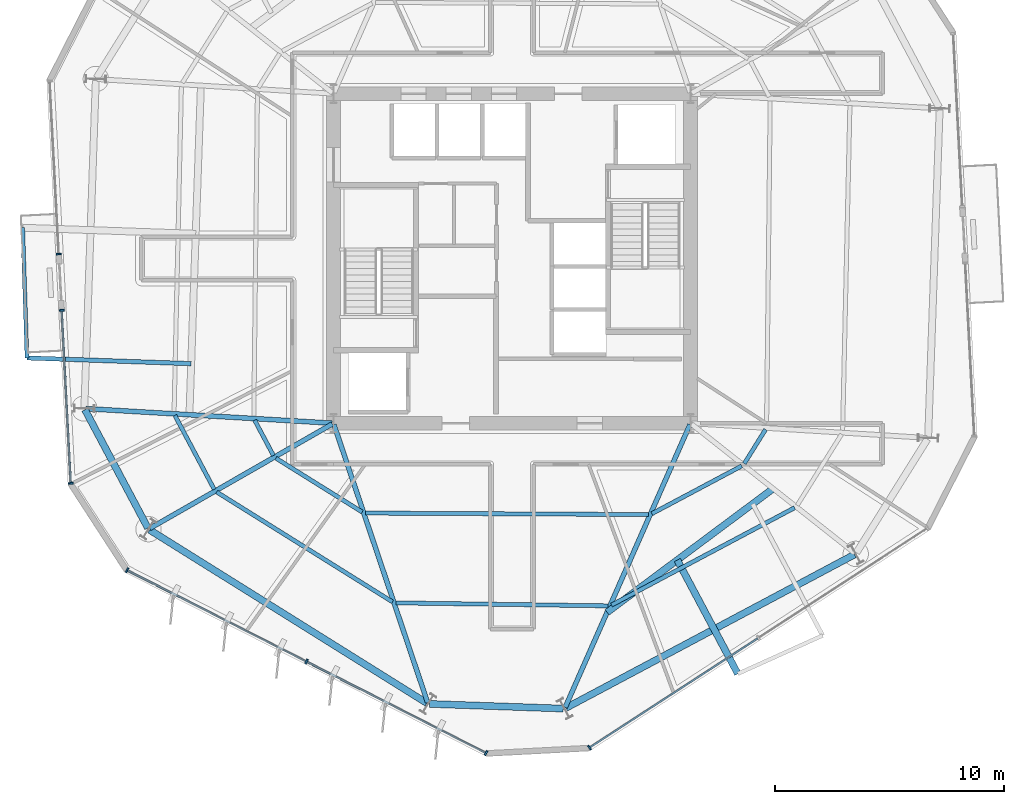
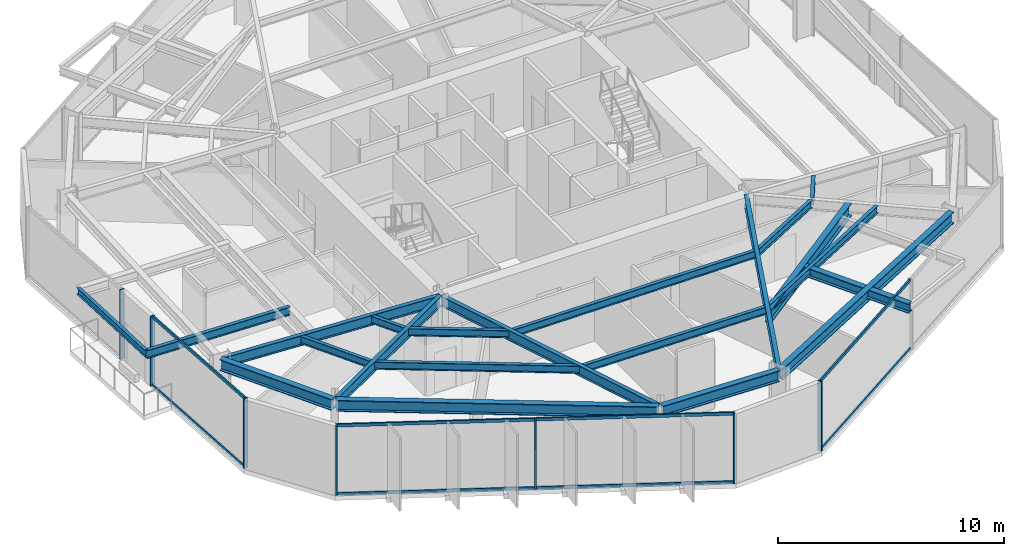
# One storey, part 2 of 12: 21 beams, 15 members, 4 elements without a shape of their own.
"""IFC4 building model written with IfcOpenShell, lengths in metres."""

import ifcopenshell
import ifcopenshell.guid

model = None  # the IFC model being written
_history = None  # IfcOwnerHistory: only IFC2X3 demands one
_inside = {}  # id of a spatial element -> (the spatial element, [elements in it])
_under = {}  # id of a project, library or spatial element -> (it, [spatial elements below it])
_declared = {}  # id of a project -> (the project, [libraries it declares])
_typed = {}  # id of a type object -> (the type object, [elements of that type])
_made_of = {}  # id of a material, layer set ... -> (it, [elements and type objects made of it])


def new_model(schema):
    """Start an empty IFC model of exactly this schema.

    Asked for "IFC4X3", IfcOpenShell would pick the latest addendum, in which some entities
    have other attributes; the version numbers below select the first issue.
    IFC2X3 requires an IfcOwnerHistory on every rooted entity: one is made here for all.
    """
    global model, _history
    if schema == "IFC4X3":
        model = ifcopenshell.file(schema_version=(4, 3, 0, 0))
    else:
        model = ifcopenshell.file(schema=schema)
    _inside.clear()
    _under.clear()
    _declared.clear()
    _typed.clear()
    _made_of.clear()
    _history = None
    if model.schema == "IFC2X3":
        org = make("IfcOrganization", Name="unknown")
        user = make(
            "IfcPersonAndOrganization",
            ThePerson=make("IfcPerson", FamilyName="unknown"),
            TheOrganization=org,
        )
        app = make(
            "IfcApplication",
            ApplicationDeveloper=org,
            Version="unknown",
            ApplicationFullName="unknown",
            ApplicationIdentifier="unknown",
        )
        _history = make(
            "IfcOwnerHistory",
            OwningUser=user,
            OwningApplication=app,
            ChangeAction="ADDED",
            CreationDate=0,
        )
    return model


def make(cls, **values):
    """One entity of the class cls with the attributes given. An attribute that is None is left unset."""
    return model.create_entity(
        cls, **{name: value for name, value in values.items() if value is not None}
    )


def rooted(cls, **values):
    """An entity with a GlobalId (a new one), such as an element, a storey or a relation."""
    return make(cls, GlobalId=ifcopenshell.guid.new(), OwnerHistory=_history, **values)


def si_unit(unit_type, name, prefix=None):
    """IfcSIUnit, for example si_unit("LENGTHUNIT", "METRE", prefix="MILLI")."""
    return make("IfcSIUnit", UnitType=unit_type, Prefix=prefix, Name=name)


def assignment(units):
    """IfcUnitAssignment: the units of a project."""
    return None if units is None else make("IfcUnitAssignment", Units=units)


def point(xyz):
    """IfcCartesianPoint."""
    return None if xyz is None else make("IfcCartesianPoint", Coordinates=xyz)


def direction(xyz):
    """IfcDirection."""
    return None if xyz is None else make("IfcDirection", DirectionRatios=xyz)


def frame(location, z_axis=None, x_axis=None):
    """IfcAxis2Placement3D, a coordinate frame: its origin and axes. An axis left out is left unset."""
    return make(
        "IfcAxis2Placement3D",
        Location=point(location),
        Axis=direction(z_axis),
        RefDirection=direction(x_axis),
    )


def frame_2d(location, x_axis=None):
    """IfcAxis2Placement2D, a coordinate frame in the plane: its origin and x axis."""
    return make(
        "IfcAxis2Placement2D", Location=point(location), RefDirection=direction(x_axis)
    )


def origin():
    """The frame at (0, 0, 0) with its axes left unset."""
    return frame((0.0, 0.0, 0.0))


def origin_2d():
    """The frame at (0, 0) in the plane with its x axis left unset."""
    return frame_2d((0.0, 0.0))


def place(relative_to, where):
    """IfcLocalPlacement: puts the frame where relative to a parent placement (None: the world)."""
    return make(
        "IfcLocalPlacement", PlacementRelTo=relative_to, RelativePlacement=where
    )


def context(
    kind, dimensions, precision=None, world=None, true_north=None, identifier=None
):
    """IfcGeometricRepresentationContext, for example the 3D "Model" context."""
    return make(
        "IfcGeometricRepresentationContext",
        ContextIdentifier=identifier,
        ContextType=kind,
        CoordinateSpaceDimension=dimensions,
        Precision=precision,
        WorldCoordinateSystem=world,
        TrueNorth=true_north,
    )


def subcontext(parent, identifier, kind, view, scale=None):
    """IfcGeometricRepresentationSubContext, for example "Body" below "Model"."""
    return make(
        "IfcGeometricRepresentationSubContext",
        ContextIdentifier=identifier,
        ContextType=kind,
        ParentContext=parent,
        TargetScale=scale,
        TargetView=view,
    )


def project(units=None, contexts=None):
    """IfcProject with its units and contexts."""
    return rooted(
        "IfcProject",
        Name="project",
        RepresentationContexts=contexts,
        UnitsInContext=assignment(units),
    )


def spatial(cls, under=None, at=None, **own):
    """A site, building, storey or space (cls), placed at a placement, below another one or the project."""
    s = rooted(cls, ObjectPlacement=at, **own)
    if under is not None:
        _under.setdefault(under.id(), (under, []))[1].append(s)
    return s


def profile(cls, at=None, kind="AREA", **sizes):
    """A parametric profile (cls). Its sizes go by their IFC names, for example OverallWidth=200.0."""
    return make(cls, ProfileType=kind, Position=at, **sizes)


def rectangle(**sizes):
    """IfcRectangleProfileDef."""
    return profile("IfcRectangleProfileDef", **sizes)


def i_section(**sizes):
    """IfcIShapeProfileDef."""
    return profile("IfcIShapeProfileDef", **sizes)


def extrude(swept, where, along, depth):
    """IfcExtrudedAreaSolid: the profile swept, set in the frame where, extruded along a direction by depth."""
    return make(
        "IfcExtrudedAreaSolid",
        SweptArea=swept,
        Position=where,
        ExtrudedDirection=direction(along),
        Depth=depth,
    )


def shape(context_of_items, identifier, shape_type, items):
    """IfcShapeRepresentation: the items that make up one representation, for example the "Body"."""
    return make(
        "IfcShapeRepresentation",
        ContextOfItems=context_of_items,
        RepresentationIdentifier=identifier,
        RepresentationType=shape_type,
        Items=items,
    )


def material(Name=None, Category=None):
    """IfcMaterial."""
    return make("IfcMaterial", Name=Name, Category=Category)


def layer(
    of_material, thickness, ventilated=None, Name=None, Category=None, Priority=None
):
    """IfcMaterialLayer: one layer of a wall or slab, of a material (None: an air gap)."""
    return make(
        "IfcMaterialLayer",
        Material=of_material,
        LayerThickness=thickness,
        IsVentilated=ventilated,
        Name=Name,
        Category=Category,
        Priority=Priority,
    )


def layer_set(layers, Name=None):
    """IfcMaterialLayerSet."""
    return make("IfcMaterialLayerSet", MaterialLayers=layers, LayerSetName=Name)


def material_profile(
    of_material, cross_section, Name=None, Category=None, Priority=None
):
    """IfcMaterialProfile: a cross section and its material."""
    return make(
        "IfcMaterialProfile",
        Name=Name,
        Material=of_material,
        Profile=cross_section,
        Priority=Priority,
        Category=Category,
    )


def profile_set(profiles, Name=None, composite=None):
    """IfcMaterialProfileSet."""
    return make(
        "IfcMaterialProfileSet",
        Name=Name,
        MaterialProfiles=profiles,
        CompositeProfile=composite,
    )


def made_of(thing, what):
    """Note that an element or type object is made of a material, layer set ...; save() writes the relation."""
    if what is not None:
        _made_of.setdefault(what.id(), (what, []))[1].append(thing)
    return thing


def type_object(cls, material=None, **own):
    """A type object (cls), such as IfcWallType, which elements share."""
    return made_of(rooted(cls, **own), material)


def element(
    cls,
    number,
    at=None,
    inside=None,
    cuts=None,
    type_object=None,
    material=None,
    context=None,
    identifier="Body",
    shape_type=None,
    held_by="IfcProductDefinitionShape",
    body=None,
    shapes=None,
    **own,
):
    """One element of the class cls, such as IfcWall. Its Tag is "e" and its number.

    at: its placement. inside: the storey or other place that contains it. cuts: it is an
    opening in that element (IfcRelVoidsElement). A single representation is given by context,
    identifier, shape_type and body (its items); several are given by shapes. held_by: the class
    of the entity that holds the representations. save() writes the other relations.
    """
    e = rooted(cls, Tag="e%d" % number, ObjectPlacement=at, **own)
    if body is not None:
        shapes = [shape(context, identifier, shape_type, body)]
    if shapes is not None:
        e.Representation = make(held_by, Representations=shapes)
    if inside is not None:
        _inside.setdefault(inside.id(), (inside, []))[1].append(e)
    if cuts is not None:
        rooted(
            "IfcRelVoidsElement", RelatingBuildingElement=cuts, RelatedOpeningElement=e
        )
    if type_object is not None:
        _typed.setdefault(type_object.id(), (type_object, []))[1].append(e)
    return made_of(e, material)


def aggregate(whole, parts):
    """IfcRelAggregates: a whole, such as a stair, and the parts it consists of."""
    return rooted("IfcRelAggregates", RelatingObject=whole, RelatedObjects=parts)


def save(model, path):
    """Write the relations noted so far, then the file.

    IfcRelAggregates (storeys below a building ...), IfcRelContainedInSpatialStructure (elements
    in a storey), IfcRelDefinesByType, IfcRelAssociatesMaterial and IfcRelDeclares: one each for
    every whole, place, type object, material and project.
    """
    for whole, parts in _under.values():
        aggregate(whole, parts)
    for where, things in _inside.values():
        rooted(
            "IfcRelContainedInSpatialStructure",
            RelatedElements=things,
            RelatingStructure=where,
        )
    for kind, things in _typed.values():
        rooted("IfcRelDefinesByType", RelatedObjects=things, RelatingType=kind)
    for what, things in _made_of.values():
        rooted("IfcRelAssociatesMaterial", RelatedObjects=things, RelatingMaterial=what)
    for by, libraries in _declared.values():
        rooted("IfcRelDeclares", RelatingContext=by, RelatedDefinitions=libraries)
    model.write(path)


model = new_model("IFC4")

# Units and contexts
model_context = context("Model", 3, precision=1e-05, world=origin(), true_north=direction((0.0, 1.0)))
body_context = subcontext(model_context, "Body", "Model", "MODEL_VIEW")
ifc_project = project(units=[si_unit("LENGTHUNIT", "METRE"), si_unit("AREAUNIT", "SQUARE_METRE"), si_unit("VOLUMEUNIT", "CUBIC_METRE"), si_unit("PLANEANGLEUNIT", "RADIAN"), si_unit("MASSUNIT", "GRAM", prefix="KILO")], contexts=[model_context])

# Site, building, storey
site_placement = place(None, origin())
site = spatial("IfcSite", under=ifc_project, at=site_placement, CompositionType="ELEMENT")
building_placement = place(site_placement, origin())
building = spatial("IfcBuilding", under=site, at=building_placement, Name="Kranzbogen Civic Tower", CompositionType="ELEMENT")
storey_placement = place(building_placement, frame((0.0, 0.0, 154.39990234375)))
storey = spatial("IfcBuildingStorey", under=building, at=storey_placement, Name="L37", CompositionType="ELEMENT", Elevation=154.39990234375)

# Beam
ifc_material_1 = material(Name="Steel S355", Category="steel")
ifc_material_profile_1 = material_profile(ifc_material_1, i_section(OverallWidth=0.18994140625, OverallDepth=0.449951171875, WebThickness=0.009521484375, FlangeThickness=0.0146484375, at=origin_2d()), Name="IPE 450")
ifc_profile_set_1 = profile_set([ifc_material_profile_1], Name="Steel S355")
beam_type_1 = type_object("IfcBeamType", Name="Braced Terrace Edge Beam IPE 450", PredefinedType="BEAM", material=ifc_profile_set_1)
beam_1_placement = place(storey_placement, frame((10.97998046875, 20.404052734375, 3.4951171875), z_axis=(-0.999389457372, 0.034938696214, 0.0), x_axis=(-0.034938696214, -0.999389457372, 0.0)))
element("IfcBeam", 1, at=beam_1_placement, inside=storey, type_object=beam_type_1, Name="L38 back-spanned terrace beam L38-ST-2", PredefinedType="BEAM", context=body_context, shape_type="SweptSolid", body=[
    extrude(i_section(OverallWidth=0.18994140625, OverallDepth=0.449951171875, WebThickness=0.009521484375, FlangeThickness=0.0146484375, at=origin_2d()), origin(), (0.0, 0.0, 1.0), 7.183349609375),
])

# Curtain wall, member
ifc_material_2 = material(Name="Pale Anodised Aluminium", Category="aluminium")
ifc_layer = layer(ifc_material_2, 0.219970703125, Name="Pale Anodised Aluminium")
ifc_layer_set = layer_set([ifc_layer], Name="Pale Anodised Aluminium")
curtain_wall_type = type_object("IfcCurtainWallType", Name="Zone 2 Stick Curtain Wall System CW-03", PredefinedType="USERDEFINED", material=ifc_layer_set)
curtain_wall_1_placement = place(storey_placement, origin())
curtain_wall_1 = element("IfcCurtainWall", 2, at=curtain_wall_1_placement, inside=storey, type_object=curtain_wall_type, Name="L37 curtain wall CW-L37-F3-S1", ObjectType="STICK CURTAIN WALL", PredefinedType="USERDEFINED")
ifc_material_profile_2 = material_profile(ifc_material_2, rectangle(XDim=0.074951171875, YDim=0.219970703125, at=origin_2d()), Name="ALU-M 75x220")
ifc_profile_set_2 = profile_set([ifc_material_profile_2], Name="Pale Anodised Aluminium")
member_type_1 = type_object("IfcMemberType", Name="Curtain Wall Mullion ALU-M 75x220", PredefinedType="MULLION", material=ifc_profile_set_2)
member_1_placement = place(storey_placement, frame((5.19140625, 25.19384765625, 0.0), z_axis=(0.0, 0.0, 1.0), x_axis=(0.052393835252, -0.998626499762, 0.0)))
member_1 = element("IfcMember", 3, at=member_1_placement, type_object=member_type_1, Name="CW-03 mullion 2", PredefinedType="MULLION", context=body_context, shape_type="SweptSolid", body=[
    extrude(rectangle(XDim=0.074951171875, YDim=0.219970703125, at=origin_2d()), origin(), (0.0, 0.0, 1.0), 3.760009765625),
])
aggregate(curtain_wall_1, [member_1])

# Curtain wall, members
curtain_wall_2_placement = place(storey_placement, origin())
curtain_wall_2 = element("IfcCurtainWall", 4, at=curtain_wall_2_placement, inside=storey, type_object=curtain_wall_type, Name="L37 curtain wall CW-L37-F3-S2", ObjectType="STICK CURTAIN WALL", PredefinedType="USERDEFINED")
member_2_placement = place(storey_placement, frame((5.319580078125, 22.737060546875, 0.0), z_axis=(0.0, 0.0, 1.0), x_axis=(0.052400689505, -0.998626140124, 0.0)))
member_2 = element("IfcMember", 5, at=member_2_placement, type_object=member_type_1, Name="CW-03 mullion 1", PredefinedType="MULLION", context=body_context, shape_type="SweptSolid", body=[
    extrude(rectangle(XDim=0.074951171875, YDim=0.219970703125, at=origin_2d()), origin(), (0.0, 0.0, 1.0), 3.760009765625),
])
member_3_placement = place(storey_placement, frame((5.71630859375, 15.174072265625, 0.0), z_axis=(0.0, 0.0, 1.0), x_axis=(0.052400689505, -0.998626140124, 0.0)))
member_3 = element("IfcMember", 6, at=member_3_placement, type_object=member_type_1, Name="CW-03 mullion 2", PredefinedType="MULLION", context=body_context, shape_type="SweptSolid", body=[
    extrude(rectangle(XDim=0.074951171875, YDim=0.219970703125, at=origin_2d()), origin(), (0.0, 0.0, 1.0), 3.760009765625),
])

curtain_wall_3_placement = place(storey_placement, origin())
curtain_wall_3 = element("IfcCurtainWall", 7, at=curtain_wall_3_placement, inside=storey, type_object=curtain_wall_type, Name="L37 curtain wall CW-L37-F4", ObjectType="STICK CURTAIN WALL", PredefinedType="USERDEFINED")
member_4_placement = place(storey_placement, frame((8.1787109375, 11.37939453125, 0.0), z_axis=(0.0, 0.0, 1.0), x_axis=(0.891017035872, -0.453969868809, 0.0)))
member_4 = element("IfcMember", 8, at=member_4_placement, type_object=member_type_1, Name="CW-03 mullion 1", PredefinedType="MULLION", context=body_context, shape_type="SweptSolid", body=[
    extrude(rectangle(XDim=0.074951171875, YDim=0.219970703125, at=origin_2d()), origin(), (0.0, 0.0, 1.0), 3.760009765625),
])
member_5_placement = place(storey_placement, frame((16.0234375, 7.382568359375, 0.0), z_axis=(0.0, 0.0, 1.0), x_axis=(0.891017035872, -0.453969868809, 0.0)))
member_5 = element("IfcMember", 9, at=member_5_placement, type_object=member_type_1, Name="CW-03 mullion 2", PredefinedType="MULLION", context=body_context, shape_type="SweptSolid", body=[
    extrude(rectangle(XDim=0.074951171875, YDim=0.219970703125, at=origin_2d()), origin(), (0.0, 0.0, 1.0), 3.760009765625),
])
member_6_placement = place(storey_placement, frame((23.8681640625, 3.385498046875, 0.0), z_axis=(0.0, 0.0, 1.0), x_axis=(0.891017035872, -0.453969868809, 0.0)))
member_6 = element("IfcMember", 10, at=member_6_placement, type_object=member_type_1, Name="CW-03 mullion 3", PredefinedType="MULLION", context=body_context, shape_type="SweptSolid", body=[
    extrude(rectangle(XDim=0.074951171875, YDim=0.219970703125, at=origin_2d()), origin(), (0.0, 0.0, 1.0), 3.760009765625),
])

# Curtain wall, member
curtain_wall_4_placement = place(storey_placement, origin())
curtain_wall_4 = element("IfcCurtainWall", 11, at=curtain_wall_4_placement, inside=storey, type_object=curtain_wall_type, Name="L37 curtain wall CW-L37-F5", ObjectType="STICK CURTAIN WALL", PredefinedType="USERDEFINED")
member_7_placement = place(storey_placement, frame((28.38525390625, 3.622314453125, 0.0), z_axis=(0.0, 0.0, 1.0), x_axis=(0.83865175397, 0.544668004901, 0.0)))
member_7 = element("IfcMember", 12, at=member_7_placement, type_object=member_type_1, Name="CW-03 mullion 1", PredefinedType="MULLION", context=body_context, shape_type="SweptSolid", body=[
    extrude(rectangle(XDim=0.074951171875, YDim=0.219970703125, at=origin_2d()), origin(), (0.0, 0.0, 1.0), 3.760009765625),
])

# Member
ifc_material_profile_3 = material_profile(ifc_material_2, rectangle(XDim=0.074951171875, YDim=0.1650390625, at=origin_2d()), Name="ALU-T 75x165")
ifc_profile_set_3 = profile_set([ifc_material_profile_3], Name="Pale Anodised Aluminium")
member_type_2 = type_object("IfcMemberType", Name="Curtain Wall Transom ALU-T 75x165", PredefinedType="USERDEFINED", material=ifc_profile_set_3)
member_8_placement = place(storey_placement, frame((5.321044921875, 22.70703125, 0.030029296875), z_axis=(0.052412162589, -0.998625538034, 0.0), x_axis=(0.998625538034, 0.052412162589, 0.0)))
member_8 = element("IfcMember", 13, at=member_8_placement, type_object=member_type_2, Name="CW-03 transom 1.1", ObjectType="TRANSOM", PredefinedType="USERDEFINED", context=body_context, shape_type="SweptSolid", body=[
    extrude(rectangle(XDim=0.074951171875, YDim=0.1650390625, at=origin_2d()), origin(), (0.0, 0.0, 1.0), 7.513427734375),
])

member_9_placement = place(storey_placement, frame((5.321044921875, 22.70703125, 3.72998046875), z_axis=(0.052412162589, -0.998625538034, 0.0), x_axis=(0.998625538034, 0.052412162589, 0.0)))
member_9 = element("IfcMember", 14, at=member_9_placement, type_object=member_type_2, Name="CW-03 transom 1.2", ObjectType="TRANSOM", PredefinedType="USERDEFINED", context=body_context, shape_type="SweptSolid", body=[
    extrude(rectangle(XDim=0.074951171875, YDim=0.1650390625, at=origin_2d()), origin(), (0.0, 0.0, 1.0), 7.513427734375),
])

aggregate(curtain_wall_2, [member_2, member_3, member_8, member_9])

member_10_placement = place(storey_placement, frame((8.20556640625, 11.36572265625, 0.030029296875), z_axis=(0.891023302784, -0.453957568388, 0.0), x_axis=(0.453957568388, 0.891023302784, 0.0)))
member_10 = element("IfcMember", 15, at=member_10_placement, type_object=member_type_2, Name="CW-03 transom 1.1", ObjectType="TRANSOM", PredefinedType="USERDEFINED", context=body_context, shape_type="SweptSolid", body=[
    extrude(rectangle(XDim=0.074951171875, YDim=0.1650390625, at=origin_2d()), origin(), (0.0, 0.0, 1.0), 8.744140625),
])

member_11_placement = place(storey_placement, frame((8.20556640625, 11.36572265625, 3.72998046875), z_axis=(0.891023302784, -0.453957568388, 0.0), x_axis=(0.453957568388, 0.891023302784, 0.0)))
member_11 = element("IfcMember", 16, at=member_11_placement, type_object=member_type_2, Name="CW-03 transom 1.2", ObjectType="TRANSOM", PredefinedType="USERDEFINED", context=body_context, shape_type="SweptSolid", body=[
    extrude(rectangle(XDim=0.074951171875, YDim=0.1650390625, at=origin_2d()), origin(), (0.0, 0.0, 1.0), 8.744140625),
])

member_12_placement = place(storey_placement, frame((16.05029296875, 7.368896484375, 0.030029296875), z_axis=(0.891012009224, -0.45397973459, 0.0), x_axis=(0.45397973459, 0.891012009224, 0.0)))
member_12 = element("IfcMember", 17, at=member_12_placement, type_object=member_type_2, Name="CW-03 transom 2.1", ObjectType="TRANSOM", PredefinedType="USERDEFINED", context=body_context, shape_type="SweptSolid", body=[
    extrude(rectangle(XDim=0.074951171875, YDim=0.1650390625, at=origin_2d()), origin(), (0.0, 0.0, 1.0), 8.744384765625),
])

member_13_placement = place(storey_placement, frame((16.05029296875, 7.368896484375, 3.72998046875), z_axis=(0.891012009224, -0.45397973459, 0.0), x_axis=(0.45397973459, 0.891012009224, 0.0)))
member_13 = element("IfcMember", 18, at=member_13_placement, type_object=member_type_2, Name="CW-03 transom 2.2", ObjectType="TRANSOM", PredefinedType="USERDEFINED", context=body_context, shape_type="SweptSolid", body=[
    extrude(rectangle(XDim=0.074951171875, YDim=0.1650390625, at=origin_2d()), origin(), (0.0, 0.0, 1.0), 8.744384765625),
])

aggregate(curtain_wall_3, [member_4, member_5, member_6, member_10, member_11, member_12, member_13])

member_14_placement = place(storey_placement, frame((28.410400390625, 3.638671875, 0.030029296875), z_axis=(0.838652794659, 0.544666402498, 0.0), x_axis=(-0.544666402498, 0.838652794659, 0.0)))
member_14 = element("IfcMember", 19, at=member_14_placement, type_object=member_type_2, Name="CW-03 transom 1.1", ObjectType="TRANSOM", PredefinedType="USERDEFINED", context=body_context, shape_type="SweptSolid", body=[
    extrude(rectangle(XDim=0.074951171875, YDim=0.1650390625, at=origin_2d()), origin(), (0.0, 0.0, 1.0), 8.743896484375),
])

member_15_placement = place(storey_placement, frame((28.410400390625, 3.638671875, 3.72998046875), z_axis=(0.838652794659, 0.544666402498, 0.0), x_axis=(-0.544666402498, 0.838652794659, 0.0)))
member_15 = element("IfcMember", 20, at=member_15_placement, type_object=member_type_2, Name="CW-03 transom 1.2", ObjectType="TRANSOM", PredefinedType="USERDEFINED", context=body_context, shape_type="SweptSolid", body=[
    extrude(rectangle(XDim=0.074951171875, YDim=0.1650390625, at=origin_2d()), origin(), (0.0, 0.0, 1.0), 8.743896484375),
])

aggregate(curtain_wall_4, [member_7, member_14, member_15])

# Beams
ifc_material_profile_4 = material_profile(ifc_material_1, i_section(OverallWidth=0.300048828125, OverallDepth=0.5, WebThickness=0.014404296875, FlangeThickness=0.028076171875, at=origin_2d()), Name="HEB 500")
ifc_profile_set_4 = profile_set([ifc_material_profile_4], Name="Steel S355")
beam_type_2 = type_object("IfcBeamType", Name="Perimeter Tube Spandrel Beam HEB 500", PredefinedType="SPANDREL", material=ifc_profile_set_4)
beam_2_placement = place(storey_placement, frame((32.22509765625, 11.822998046875, 3.5), z_axis=(0.469424607444, -0.882972557856, 0.0), x_axis=(0.882972557856, 0.469424607444, 0.0)))
element("IfcBeam", 21, at=beam_2_placement, inside=storey, type_object=beam_type_2, Name="L38 back-spanned terrace beam L38-TB1-1", PredefinedType="SPANDREL", context=body_context, shape_type="SweptSolid", body=[
    extrude(i_section(OverallWidth=0.300048828125, OverallDepth=0.5, WebThickness=0.014404296875, FlangeThickness=0.028076171875, at=origin_2d()), origin(), (0.0, 0.0, 1.0), 5.632080078125),
])
ifc_material_profile_5 = material_profile(ifc_material_1, i_section(OverallWidth=0.300048828125, OverallDepth=0.60009765625, WebThickness=0.015380859375, FlangeThickness=0.030029296875, at=origin_2d()), Name="HEB 600")
ifc_profile_set_5 = profile_set([ifc_material_profile_5], Name="Steel S355")
beam_type_3 = type_object("IfcBeamType", Name="Perimeter Tube Spandrel Beam HEB 600", PredefinedType="SPANDREL", material=ifc_profile_set_5)
beam_3_placement = place(storey_placement, frame((6.337890625, 18.39111328125, 3.460205078125), z_axis=(0.469565926668, -0.882897412224, 0.0), x_axis=(0.882897412224, 0.469565926668, 0.0)))
element("IfcBeam", 22, at=beam_3_placement, inside=storey, type_object=beam_type_3, Name="L37 perimeter spandrel beam 01", PredefinedType="SPANDREL", context=body_context, shape_type="SweptSolid", body=[
    extrude(i_section(OverallWidth=0.300048828125, OverallDepth=0.60009765625, WebThickness=0.015380859375, FlangeThickness=0.030029296875, at=origin_2d()), origin(), (0.0, 0.0, 1.0), 5.852294921875),
])
beam_4_placement = place(storey_placement, frame((9.1650390625, 13.138916015625, 3.460205078125), z_axis=(0.848051101349, -0.52991445489, 0.0), x_axis=(0.52991445489, 0.848051101349, 0.0)))
element("IfcBeam", 23, at=beam_4_placement, inside=storey, type_object=beam_type_3, Name="L37 perimeter spandrel beam 02", PredefinedType="SPANDREL", context=body_context, shape_type="SweptSolid", body=[
    extrude(i_section(OverallWidth=0.300048828125, OverallDepth=0.60009765625, WebThickness=0.015380859375, FlangeThickness=0.030029296875, at=origin_2d()), origin(), (0.0, 0.0, 1.0), 14.286865234375),
])
beam_5_placement = place(storey_placement, frame((21.39208984375, 5.533935546875, 3.460205078125), z_axis=(0.999393148233, -0.03483296234, 0.0), x_axis=(0.03483296234, 0.999393148233, 0.0)))
element("IfcBeam", 24, at=beam_5_placement, inside=storey, type_object=beam_type_3, Name="L37 perimeter spandrel beam 03", PredefinedType="SPANDREL", context=body_context, shape_type="SweptSolid", body=[
    extrude(i_section(OverallWidth=0.300048828125, OverallDepth=0.60009765625, WebThickness=0.015380859375, FlangeThickness=0.030029296875, at=origin_2d()), origin(), (0.0, 0.0, 1.0), 5.8525390625),
])
beam_6_placement = place(storey_placement, frame((27.35400390625, 5.35595703125, 3.460205078125), z_axis=(0.882948194046, 0.469470432116, 0.0), x_axis=(-0.469470432116, 0.882948194046, 0.0)))
element("IfcBeam", 25, at=beam_6_placement, inside=storey, type_object=beam_type_3, Name="L37 perimeter spandrel beam 04", PredefinedType="SPANDREL", context=body_context, shape_type="SweptSolid", body=[
    extrude(i_section(OverallWidth=0.300048828125, OverallDepth=0.60009765625, WebThickness=0.015380859375, FlangeThickness=0.030029296875, at=origin_2d()), origin(), (0.0, 0.0, 1.0), 14.28857421875),
])
ifc_material_profile_6 = material_profile(ifc_material_1, i_section(OverallWidth=0.300048828125, OverallDepth=0.699951171875, WebThickness=0.01708984375, FlangeThickness=0.031982421875, at=origin_2d()), Name="HEB 700")
ifc_profile_set_6 = profile_set([ifc_material_profile_6], Name="Steel S355")
beam_type_4 = type_object("IfcBeamType", Name="Perimeter Tube Spandrel Beam HEB 700", PredefinedType="SPANDREL", material=ifc_profile_set_6)
beam_7_placement = place(storey_placement, frame((29.156982421875, 9.537109375, 3.400146484375), z_axis=(0.801896259305, 0.597463295369, 0.0), x_axis=(-0.597463295369, 0.801896259305, 0.0)))
element("IfcBeam", 26, at=beam_7_placement, inside=storey, type_object=beam_type_4, Name="L38 balcony back-span header girder L38-TB1", PredefinedType="SPANDREL", context=body_context, shape_type="SweptSolid", body=[
    extrude(i_section(OverallWidth=0.300048828125, OverallDepth=0.699951171875, WebThickness=0.01708984375, FlangeThickness=0.031982421875, at=origin_2d()), origin(), (0.0, 0.0, 1.0), 9.0498046875),
])
ifc_material_profile_7 = material_profile(ifc_material_1, i_section(OverallWidth=0.2099609375, OverallDepth=0.550048828125, WebThickness=0.010986328125, FlangeThickness=0.01708984375, at=origin_2d()), Name="IPE 550")
ifc_profile_set_7 = profile_set([ifc_material_profile_7], Name="Steel S355")
beam_type_5 = type_object("IfcBeamType", Name="Radial Tower Floor Girder IPE 550", PredefinedType="BEAM", material=ifc_profile_set_7)
beam_8_placement = place(storey_placement, frame((6.3701171875, 18.43994140625, 3.485107421875), z_axis=(0.998260925387, -0.058950189528, 0.0), x_axis=(0.058950189528, 0.998260925387, 0.0)))
element("IfcBeam", 27, at=beam_8_placement, inside=storey, type_object=beam_type_5, Name="L37 radial floor girder 01", PredefinedType="BEAM", context=body_context, shape_type="SweptSolid", body=[
    extrude(i_section(OverallWidth=0.2099609375, OverallDepth=0.550048828125, WebThickness=0.010986328125, FlangeThickness=0.01708984375, at=origin_2d()), origin(), (0.0, 0.0, 1.0), 10.78857421875),
])
beam_9_placement = place(storey_placement, frame((9.166015625, 13.200927734375, 3.485107421875), z_axis=(0.867868812182, 0.496793442833, 0.0), x_axis=(-0.496793442833, 0.867868812182, 0.0)))
element("IfcBeam", 28, at=beam_9_placement, inside=storey, type_object=beam_type_5, Name="L37 radial floor girder 02", PredefinedType="BEAM", context=body_context, shape_type="SweptSolid", body=[
    extrude(i_section(OverallWidth=0.2099609375, OverallDepth=0.550048828125, WebThickness=0.010986328125, FlangeThickness=0.01708984375, at=origin_2d()), origin(), (0.0, 0.0, 1.0), 9.197265625),
])
beam_10_placement = place(storey_placement, frame((21.31298828125, 5.593017578125, 3.485107421875), z_axis=(-0.319316617377, 0.947648087566, 0.0), x_axis=(-0.947648087566, -0.319316617377, 0.0)))
element("IfcBeam", 29, at=beam_10_placement, inside=storey, type_object=beam_type_5, Name="L37 radial floor girder 03", PredefinedType="BEAM", context=body_context, shape_type="SweptSolid", body=[
    extrude(i_section(OverallWidth=0.2099609375, OverallDepth=0.550048828125, WebThickness=0.010986328125, FlangeThickness=0.01708984375, at=origin_2d()), origin(), (0.0, 0.0, 1.0), 12.821044921875),
])
beam_11_placement = place(storey_placement, frame((27.324951171875, 5.383056640625, 3.485107421875), z_axis=(0.403459127705, 0.914997667905, 0.0), x_axis=(-0.914997667905, 0.403459127705, 0.0)))
element("IfcBeam", 30, at=beam_11_placement, inside=storey, type_object=beam_type_5, Name="L37 radial floor girder 04", PredefinedType="BEAM", context=body_context, shape_type="SweptSolid", body=[
    extrude(i_section(OverallWidth=0.2099609375, OverallDepth=0.550048828125, WebThickness=0.010986328125, FlangeThickness=0.01708984375, at=origin_2d()), origin(), (0.0, 0.0, 1.0), 13.510498046875),
])
ifc_material_profile_8 = material_profile(ifc_material_1, i_section(OverallWidth=0.169921875, OverallDepth=0.360107421875, WebThickness=0.008056640625, FlangeThickness=0.0126953125, at=origin_2d()), Name="IPE 360")
ifc_profile_set_8 = profile_set([ifc_material_profile_8], Name="Steel S355")
beam_type_6 = type_object("IfcBeamType", Name="Secondary Composite Floor Joist IPE 360", PredefinedType="JOIST", material=ifc_profile_set_8)
beam_12_placement = place(storey_placement, frame((3.616943359375, 26.345947265625, 3.5400390625), z_axis=(0.032329723399, -0.999477257863, 0.0), x_axis=(0.999477257863, 0.032329723399, 0.0)))
element("IfcBeam", 31, at=beam_12_placement, inside=storey, type_object=beam_type_6, Name="L38 terrace outer edge trimmer L38-ST", PredefinedType="JOIST", context=body_context, shape_type="SweptSolid", body=[
    extrude(i_section(OverallWidth=0.169921875, OverallDepth=0.360107421875, WebThickness=0.008056640625, FlangeThickness=0.0126953125, at=origin_2d()), origin(), (0.0, 0.0, 1.0), 5.69384765625),
])
ifc_material_profile_9 = material_profile(ifc_material_1, i_section(OverallWidth=0.179931640625, OverallDepth=0.39990234375, WebThickness=0.008544921875, FlangeThickness=0.013427734375, at=origin_2d()), Name="IPE 400")
ifc_profile_set_9 = profile_set([ifc_material_profile_9], Name="Steel S355")
beam_type_7 = type_object("IfcBeamType", Name="Secondary Composite Floor Joist IPE 400", PredefinedType="JOIST", material=ifc_profile_set_9)
beam_13_placement = place(storey_placement, frame((10.26806640625, 18.14208984375, 3.56005859375), z_axis=(0.469338791783, -0.88301817565, 0.0), x_axis=(0.88301817565, 0.469338791783, 0.0)))
element("IfcBeam", 32, at=beam_13_placement, inside=storey, type_object=beam_type_7, Name="L37 secondary floor joist 1.01", PredefinedType="JOIST", context=body_context, shape_type="SweptSolid", body=[
    extrude(i_section(OverallWidth=0.179931640625, OverallDepth=0.39990234375, WebThickness=0.008544921875, FlangeThickness=0.013427734375, at=origin_2d()), origin(), (0.0, 0.0, 1.0), 3.66259765625),
])
beam_14_placement = place(storey_placement, frame((13.7529296875, 17.93505859375, 3.56005859375), z_axis=(0.46943723363, -0.882965845139, 0.0), x_axis=(0.882965845139, 0.46943723363, 0.0)))
element("IfcBeam", 33, at=beam_14_placement, inside=storey, type_object=beam_type_7, Name="L37 secondary floor joist 2.01", PredefinedType="JOIST", context=body_context, shape_type="SweptSolid", body=[
    extrude(i_section(OverallWidth=0.179931640625, OverallDepth=0.39990234375, WebThickness=0.008544921875, FlangeThickness=0.013427734375, at=origin_2d()), origin(), (0.0, 0.0, 1.0), 1.7509765625),
])
beam_15_placement = place(storey_placement, frame((12.093017578125, 14.794921875, 3.56005859375), z_axis=(0.848025549308, -0.529955345026, 0.0), x_axis=(0.529955345026, 0.848025549308, 0.0)))
element("IfcBeam", 34, at=beam_15_placement, inside=storey, type_object=beam_type_7, Name="L37 secondary floor joist 1.02", PredefinedType="JOIST", context=body_context, shape_type="SweptSolid", body=[
    extrude(i_section(OverallWidth=0.179931640625, OverallDepth=0.39990234375, WebThickness=0.008544921875, FlangeThickness=0.013427734375, at=origin_2d()), origin(), (0.0, 0.0, 1.0), 9.06103515625),
])
beam_16_placement = place(storey_placement, frame((14.679931640625, 16.27587890625, 3.56005859375), z_axis=(0.848093834398, -0.529846060716, 0.0), x_axis=(0.529846060716, 0.848093834398, 0.0)))
element("IfcBeam", 35, at=beam_16_placement, inside=storey, type_object=beam_type_7, Name="L37 secondary floor joist 2.02", PredefinedType="JOIST", context=body_context, shape_type="SweptSolid", body=[
    extrude(i_section(OverallWidth=0.179931640625, OverallDepth=0.39990234375, WebThickness=0.008544921875, FlangeThickness=0.013427734375, at=origin_2d()), origin(), (0.0, 0.0, 1.0), 4.4501953125),
])
beam_17_placement = place(storey_placement, frame((19.924072265625, 9.949951171875, 3.56005859375), z_axis=(0.999900525148, -0.014104602386, 0.0), x_axis=(0.014104602386, 0.999900525148, 0.0)))
element("IfcBeam", 36, at=beam_17_placement, inside=storey, type_object=beam_type_7, Name="L37 secondary floor joist 1.03", PredefinedType="JOIST", context=body_context, shape_type="SweptSolid", body=[
    extrude(i_section(OverallWidth=0.179931640625, OverallDepth=0.39990234375, WebThickness=0.008544921875, FlangeThickness=0.013427734375, at=origin_2d()), origin(), (0.0, 0.0, 1.0), 9.27783203125),
])
beam_18_placement = place(storey_placement, frame((18.60205078125, 13.875, 3.56005859375), z_axis=(0.999985774147, -0.005333995002, 0.0), x_axis=(0.005333995002, 0.999985774147, 0.0)))
element("IfcBeam", 37, at=beam_18_placement, inside=storey, type_object=beam_type_7, Name="L37 secondary floor joist 2.03", PredefinedType="JOIST", context=body_context, shape_type="SweptSolid", body=[
    extrude(i_section(OverallWidth=0.179931640625, OverallDepth=0.39990234375, WebThickness=0.008544921875, FlangeThickness=0.013427734375, at=origin_2d()), origin(), (0.0, 0.0, 1.0), 12.358154296875),
])
beam_19_placement = place(storey_placement, frame((29.35107421875, 9.85498046875, 3.56005859375), z_axis=(0.882960787661, 0.469446746131, 0.0), x_axis=(-0.469446746131, 0.882960787661, 0.0)))
element("IfcBeam", 38, at=beam_19_placement, inside=storey, type_object=beam_type_7, Name="L37 secondary floor joist 1.04", PredefinedType="JOIST", context=body_context, shape_type="SweptSolid", body=[
    extrude(i_section(OverallWidth=0.179931640625, OverallDepth=0.39990234375, WebThickness=0.008544921875, FlangeThickness=0.013427734375, at=origin_2d()), origin(), (0.0, 0.0, 1.0), 9.0615234375),
])
beam_20_placement = place(storey_placement, frame((31.111083984375, 13.846923828125, 3.56005859375), z_axis=(0.882991399158, 0.469389165844, 0.0), x_axis=(-0.469389165844, 0.882991399158, 0.0)))
element("IfcBeam", 39, at=beam_20_placement, inside=storey, type_object=beam_type_7, Name="L37 secondary floor joist 2.04", PredefinedType="JOIST", context=body_context, shape_type="SweptSolid", body=[
    extrude(i_section(OverallWidth=0.179931640625, OverallDepth=0.39990234375, WebThickness=0.008544921875, FlangeThickness=0.013427734375, at=origin_2d()), origin(), (0.0, 0.0, 1.0), 4.45068359375),
])
beam_21_placement = place(storey_placement, frame((35.154052734375, 16.041015625, 3.56005859375), z_axis=(0.529572623603, 0.84826460278, 0.0), x_axis=(-0.84826460278, 0.529572623603, 0.0)))
element("IfcBeam", 40, at=beam_21_placement, inside=storey, type_object=beam_type_7, Name="L37 secondary floor joist 2.05", PredefinedType="JOIST", context=body_context, shape_type="SweptSolid", body=[
    extrude(i_section(OverallWidth=0.179931640625, OverallDepth=0.39990234375, WebThickness=0.008544921875, FlangeThickness=0.013427734375, at=origin_2d()), origin(), (0.0, 0.0, 1.0), 1.75048828125),
])

save(model, "model.ifc")
